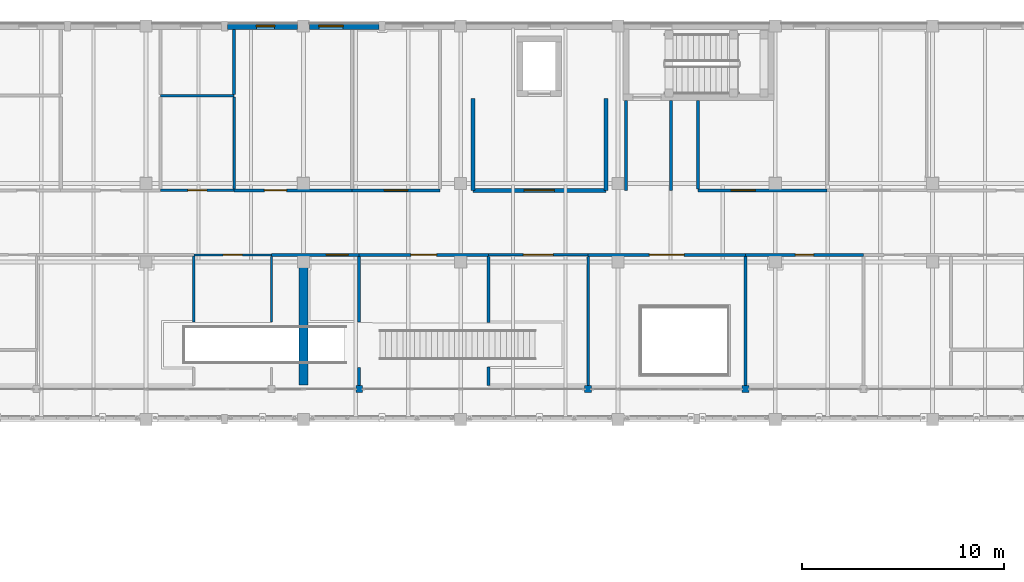
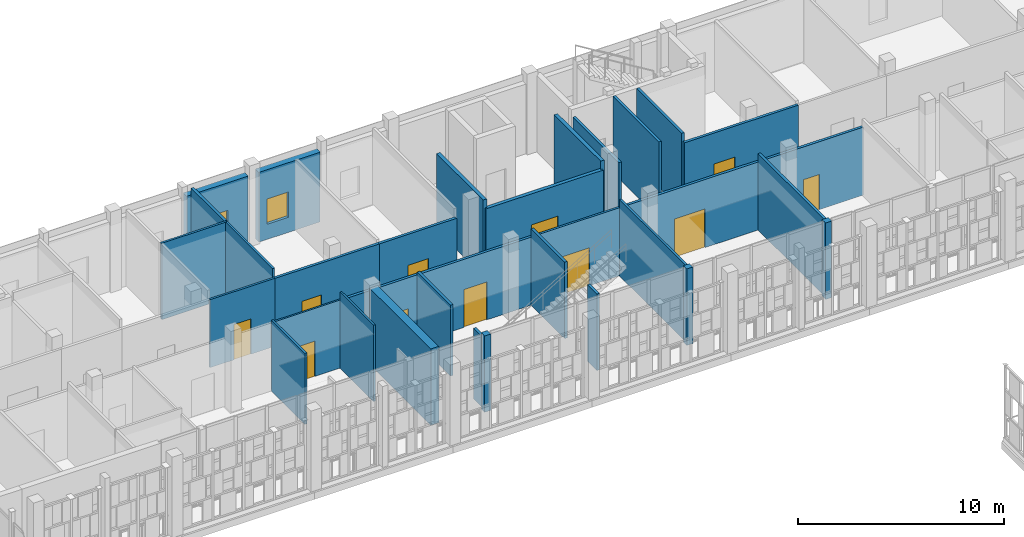
# One storey, part 110 of 138: 33 walls, 11 doors, 2 windows, 13 openings.
"""IFC4 building model written with IfcOpenShell, lengths in metres."""

from ifc_helpers import new_model, si_unit, direction, frame, frame_2d, origin, place, context, subcontext, project, spatial, rectangle, extrude, material, layer, layer_set, type_object, element, fill, save


model = new_model("IFC4")

# Units and contexts
model_context = context("Model", 3, precision=1e-05, world=origin(), true_north=direction((0.0, 1.0)))
body_context = subcontext(model_context, "Body", "Model", "MODEL_VIEW")
ifc_project = project(units=[si_unit("LENGTHUNIT", "METRE"), si_unit("AREAUNIT", "SQUARE_METRE"), si_unit("VOLUMEUNIT", "CUBIC_METRE"), si_unit("PLANEANGLEUNIT", "RADIAN"), si_unit("MASSUNIT", "GRAM", prefix="KILO")], contexts=[model_context])

# Site, building, storey
site_placement = place(None, origin())
site = spatial("IfcSite", under=ifc_project, at=site_placement, CompositionType="ELEMENT")
building_placement = place(site_placement, origin())
building = spatial("IfcBuilding", under=site, at=building_placement, Name="Celorna Specialist Clinic", CompositionType="ELEMENT")
storey_placement = place(building_placement, frame((0.0, 0.0, 4.800048828125)))
storey = spatial("IfcBuildingStorey", under=building, at=storey_placement, Name="L01", CompositionType="ELEMENT", Elevation=4.800048828125)

# Walls
ifc_material_1 = material(Name="Concrete C40/50", Category="concrete")
ifc_layer_1 = layer(ifc_material_1, 0.449951171875, Name="Concrete C40/50")
ifc_layer_set_1 = layer_set([ifc_layer_1], Name="Concrete C40/50")
wall_type_1 = type_object("IfcWallType", Name="WT-04", PredefinedType="SHEAR", material=ifc_layer_set_1)
wall_1_placement = place(storey_placement, frame((101.39990234375, 98.18994140625, 0.0), z_axis=(0.0, 0.0, 1.0), x_axis=(0.0, 1.0, 0.0)))
element("IfcWall", 1, at=wall_1_placement, inside=storey, type_object=wall_type_1, Name="Structural RC shear wall WT-04 V4 L01", PredefinedType="SHEAR", context=body_context, shape_type="SweptSolid", body=[
    extrude(rectangle(XDim=5.9599609375, YDim=0.449951171875, at=frame_2d((2.97998046875, 0.0))), origin(), (0.0, 0.0, 1.0), 4.5400390625),
])
ifc_material_2 = material(Name="Pero Pinheiro Lioz limestone insulated masonry", Category="masonry")
ifc_layer_2 = layer(ifc_material_2, 0.340087890625, Name="Pero Pinheiro Lioz limestone insulated masonry")
ifc_layer_set_2 = layer_set([ifc_layer_2], Name="Pero Pinheiro Lioz limestone insulated masonry")
wall_type_2 = type_object("IfcWallType", Name="WT-07", PredefinedType="STANDARD", material=ifc_layer_set_2)
wall_2_placement = place(storey_placement, frame((104.340087890625, 98.0, 0.0), z_axis=(0.0, 0.0, 1.0), x_axis=(-1.0, 0.0, 0.0)))
element("IfcWall", 2, at=wall_2_placement, inside=storey, type_object=wall_type_2, Name="External facade wall WT-07 #193", PredefinedType="STANDARD", context=body_context, shape_type="SweptSolid", body=[
    extrude(rectangle(XDim=0.340087890625, YDim=0.340087890625, at=frame_2d((0.169921875, 0.0))), origin(), (0.0, 0.0, 1.0), 4.5400390625),
])
wall_3_placement = place(storey_placement, frame((115.68994140625, 98.0, 0.0), z_axis=(0.0, 0.0, 1.0), x_axis=(-1.0, 0.0, 0.0)))
element("IfcWall", 3, at=wall_3_placement, inside=storey, type_object=wall_type_2, Name="External facade wall WT-07 #194", PredefinedType="STANDARD", context=body_context, shape_type="SweptSolid", body=[
    extrude(rectangle(XDim=0.33984375, YDim=0.340087890625, at=frame_2d((0.169921875, 0.0))), origin(), (0.0, 0.0, 1.0), 4.5400390625),
])
wall_4_placement = place(storey_placement, frame((123.489990234375, 98.0, 0.0), z_axis=(0.0, 0.0, 1.0), x_axis=(-1.0, 0.0, 0.0)))
element("IfcWall", 4, at=wall_4_placement, inside=storey, type_object=wall_type_2, Name="External facade wall WT-07 #195", PredefinedType="STANDARD", context=body_context, shape_type="SweptSolid", body=[
    extrude(rectangle(XDim=0.340087890625, YDim=0.340087890625, at=frame_2d((0.169921875, 0.0))), origin(), (0.0, 0.0, 1.0), 4.5400390625),
])

# Wall, opening, window
wall_5_placement = place(storey_placement, frame((97.64990234375, 116.0, 0.0), z_axis=(0.0, 0.0, 1.0), x_axis=(1.0, 0.0, 0.0)))
wall_5 = element("IfcWall", 5, at=wall_5_placement, inside=storey, type_object=wall_type_2, Name="External facade wall WT-07 #213", PredefinedType="STANDARD", context=body_context, shape_type="SweptSolid", body=[
    extrude(rectangle(XDim=3.4501953125, YDim=0.340087890625, at=frame_2d((1.72509765625, 0.0))), origin(), (0.0, 0.0, 1.0), 4.139892578125),
])
opening_1_placement = place(wall_5_placement, frame((1.425048828125, 0.0, 0.89990234375)))
opening_1 = element("IfcOpeningElement", 6, at=opening_1_placement, cuts=wall_5, Name="Opening WN-01", PredefinedType="OPENING", context=body_context, shape_type="SweptSolid", body=[
    extrude(rectangle(XDim=0.89990234375, YDim=1.60009765625, at=frame_2d((0.449951171875, 0.800048828125))), frame((0.0, 0.179931640625, 0.0), z_axis=(0.0, -1.0, 0.0), x_axis=(1.0, 0.0, 0.0)), (0.0, 0.0, 1.0), 0.360107421875),
])
ifc_material_3 = material(Name="Thermally broken aluminium triple-glazed window", Category="aluminium")
window_type_1 = type_object("IfcWindowType", Name="WN-01", PartitioningType="SINGLE_PANEL", PredefinedType="WINDOW", material=ifc_material_3)
window_1_placement = place(opening_1_placement, origin())
window_1 = element("IfcWindow", 7, at=window_1_placement, inside=storey, type_object=window_type_1, Name="Facade window WN-01 #93", OverallHeight=1.60009765625, OverallWidth=0.89990234375, PartitioningType="SINGLE_PANEL", PredefinedType="WINDOW", context=body_context, shape_type="SweptSolid", body=[
    extrude(rectangle(XDim=0.89990234375, YDim=1.60009765625, at=frame_2d((0.449951171875, 0.800048828125))), frame((0.0, 0.030029296875, 0.0), z_axis=(0.0, -1.0, 0.0), x_axis=(1.0, 0.0, 0.0)), (0.0, 0.0, 1.0), 0.06005859375),
])
fill(opening_1, window_1)

wall_6_placement = place(storey_placement, frame((101.699951171875, 116.0, 0.0), z_axis=(0.0, 0.0, 1.0), x_axis=(1.0, 0.0, 0.0)))
wall_6 = element("IfcWall", 8, at=wall_6_placement, inside=storey, type_object=wall_type_2, Name="External facade wall WT-07 #214", PredefinedType="STANDARD", context=body_context, shape_type="SweptSolid", body=[
    extrude(rectangle(XDim=3.449951171875, YDim=0.340087890625, at=frame_2d((1.72509765625, 0.0))), origin(), (0.0, 0.0, 1.0), 4.139892578125),
])
opening_2_placement = place(wall_6_placement, frame((0.469970703125, 0.0, 0.89990234375)))
opening_2 = element("IfcOpeningElement", 9, at=opening_2_placement, cuts=wall_6, Name="Opening WN-04", PredefinedType="OPENING", context=body_context, shape_type="SweptSolid", body=[
    extrude(rectangle(XDim=1.199951171875, YDim=1.5, at=frame_2d((0.60009765625, 0.75))), frame((0.0, 0.179931640625, 0.0), z_axis=(0.0, -1.0, 0.0), x_axis=(1.0, 0.0, 0.0)), (0.0, 0.0, 1.0), 0.360107421875),
])
window_type_2 = type_object("IfcWindowType", Name="WN-04", PartitioningType="SINGLE_PANEL", PredefinedType="WINDOW", material=ifc_material_3)
window_2_placement = place(opening_2_placement, origin())
window_2 = element("IfcWindow", 10, at=window_2_placement, inside=storey, type_object=window_type_2, Name="Facade window WN-04 #94", OverallHeight=1.5, OverallWidth=1.199951171875, PartitioningType="SINGLE_PANEL", PredefinedType="WINDOW", context=body_context, shape_type="SweptSolid", body=[
    extrude(rectangle(XDim=1.199951171875, YDim=1.5, at=frame_2d((0.60009765625, 0.75))), frame((0.0, 0.030029296875, 0.0), z_axis=(0.0, -1.0, 0.0), x_axis=(1.0, 0.0, 0.0)), (0.0, 0.0, 1.0), 0.06005859375),
])
fill(opening_2, window_2)

# Wall, opening, door
ifc_material_4 = material(Name="Concrete C35/45", Category="concrete")
ifc_layer_3 = layer(ifc_material_4, 0.199951171875, Name="Concrete C35/45")
ifc_layer_set_3 = layer_set([ifc_layer_3], Name="Concrete C35/45")
wall_type_3 = type_object("IfcWallType", Name="WT-12", PredefinedType="SOLIDWALL", material=ifc_layer_set_3)
wall_7_placement = place(storey_placement, frame((109.800048828125, 107.85009765625, 0.0), z_axis=(0.0, 0.0, 1.0), x_axis=(1.0, 0.0, 0.0)))
wall_7 = element("IfcWall", 11, at=wall_7_placement, inside=storey, type_object=wall_type_3, Name="Lift lobby wall LF-03 L01", PredefinedType="SOLIDWALL", context=body_context, shape_type="SweptSolid", body=[
    extrude(rectangle(XDim=6.599853515625, YDim=0.199951171875, at=frame_2d((3.2998046875, 0.0))), origin(), (0.0, 0.0, 1.0), 4.0400390625),
])
opening_3_placement = place(wall_7_placement, frame((2.550048828125, 0.0, 0.0)))
opening_3 = element("IfcOpeningElement", 12, at=opening_3_placement, cuts=wall_7, Name="Opening DR-11", PredefinedType="OPENING", context=body_context, shape_type="SweptSolid", body=[
    extrude(rectangle(XDim=1.5, YDim=2.199951171875, at=frame_2d((0.75, 1.10009765625))), frame((0.0, 0.10986328125, 0.0), z_axis=(0.0, -1.0, 0.0), x_axis=(1.0, 0.0, 0.0)), (0.0, 0.0, 1.0), 0.219970703125),
])
ifc_material_5 = material(Name="Firefighting lobby double fire door")
door_type_1 = type_object("IfcDoorType", Name="DR-11", OperationType="DOUBLE_DOOR_SINGLE_SWING", PredefinedType="DOOR", material=ifc_material_5)
door_1_placement = place(opening_3_placement, origin())
door_1 = element("IfcDoor", 13, at=door_1_placement, inside=storey, type_object=door_type_1, Name="Lift lobby fire door LF-03 L01", OperationType="DOUBLE_DOOR_SINGLE_SWING", OverallHeight=2.199951171875, OverallWidth=1.5, PredefinedType="DOOR", context=body_context, shape_type="SweptSolid", body=[
    extrude(rectangle(XDim=1.5, YDim=2.199951171875, at=frame_2d((0.75, 1.10009765625))), frame((0.0, 0.02490234375, 0.0), z_axis=(0.0, -1.0, 0.0), x_axis=(1.0, 0.0, 0.0)), (0.0, 0.0, 1.0), 0.050048828125),
])
fill(opening_3, door_1)

# Walls
for number, where, z_axis, x_axis, name in (
    (14, (109.800048828125, 112.39990234375, 0.0), (0.0, 0.0, 1.0), (0.0, -1.0, 0.0), "Lift lobby wall LF-03 L01"),
    (15, (116.39990234375, 107.85009765625, 0.0), (0.0, 0.0, 1.0), (0.0, 1.0, 0.0), "Lift lobby wall LF-03 L01"),
):
    element("IfcWall", number, at=place(storey_placement, frame(where, z_axis=z_axis, x_axis=x_axis)), inside=storey, type_object=wall_type_3, Name=name, PredefinedType="SOLIDWALL", context=body_context, shape_type="SweptSolid", body=[
        extrude(rectangle(XDim=4.5498046875, YDim=0.199951171875, at=frame_2d((2.27490234375, 0.0))), origin(), (0.0, 0.0, 1.0), 4.5400390625),
    ])
ifc_material_6 = material(Name="Fire-rated gypsum board partition")
ifc_layer_4 = layer(ifc_material_6, 0.14990234375, Name="Fire-rated gypsum board partition")
ifc_layer_set_4 = layer_set([ifc_layer_4], Name="Fire-rated gypsum board partition")
wall_type_4 = type_object("IfcWallType", Name="WT-14", PredefinedType="PARTITIONING", material=ifc_layer_set_4)
wall_8_placement = place(storey_placement, frame((117.389892578125, 107.85009765625, 0.0), z_axis=(0.0, 0.0, 1.0), x_axis=(0.0, 1.0, 0.0)))
element("IfcWall", 16, at=wall_8_placement, inside=storey, type_object=wall_type_4, Name="Corridor spur partition WT-14", PredefinedType="PARTITIONING", context=body_context, shape_type="SweptSolid", body=[
    extrude(rectangle(XDim=4.469970703125, YDim=0.14990234375, at=frame_2d((2.23486328125, 0.0))), origin(), (0.0, 0.0, 1.0), 4.08984375),
])
wall_9_placement = place(storey_placement, frame((119.639892578125, 107.85009765625, 0.0), z_axis=(0.0, 0.0, 1.0), x_axis=(0.0, 1.0, 0.0)))
element("IfcWall", 17, at=wall_9_placement, inside=storey, type_object=wall_type_4, Name="Corridor spur partition WT-14", PredefinedType="PARTITIONING", context=body_context, shape_type="SweptSolid", body=[
    extrude(rectangle(XDim=4.469970703125, YDim=0.14990234375, at=frame_2d((2.23486328125, 0.0))), origin(), (0.0, 0.0, 1.0), 4.5400390625),
])

# Wall, opening, door
wall_10_placement = place(storey_placement, frame((104.169921875, 104.64990234375, 0.0), z_axis=(0.0, 0.0, 1.0), x_axis=(-1.0, 0.0, 0.0)))
wall_10 = element("IfcWall", 18, at=wall_10_placement, inside=storey, type_object=wall_type_4, Name="Interior partition WT-14 L01-062", PredefinedType="PARTITIONING", context=body_context, shape_type="SweptSolid", body=[
    extrude(rectangle(XDim=4.349853515625, YDim=0.14990234375, at=frame_2d((2.1748046875, 0.0))), origin(), (0.0, 0.0, 1.0), 4.0400390625),
])
opening_4_placement = place(wall_10_placement, frame((0.547607421875, 0.0, 0.0)))
opening_4 = element("IfcOpeningElement", 19, at=opening_4_placement, cuts=wall_10, Name="Opening DR-21", PredefinedType="OPENING", context=body_context, shape_type="SweptSolid", body=[
    extrude(rectangle(XDim=1.080078125, YDim=2.199951171875, at=frame_2d((0.5400390625, 1.10009765625))), frame((0.0, 0.0849609375, 0.0), z_axis=(0.0, -1.0, 0.0), x_axis=(1.0, 0.0, 0.0)), (0.0, 0.0, 1.0), 0.169921875),
])
ifc_material_7 = material(Name="Timber outpatient suite door", Category="wood")
door_type_2 = type_object("IfcDoorType", Name="DR-21", OperationType="NOTDEFINED", PredefinedType="DOOR", material=ifc_material_7)
door_2_placement = place(opening_4_placement, origin())
door_2 = element("IfcDoor", 20, at=door_2_placement, inside=storey, type_object=door_type_2, Name="Outpatient Clinic door L01-062", OperationType="SINGLE_SWING_RIGHT", OverallHeight=2.199951171875, OverallWidth=1.080078125, PredefinedType="DOOR", context=body_context, shape_type="SweptSolid", body=[
    extrude(rectangle(XDim=1.080078125, YDim=2.199951171875, at=frame_2d((0.5400390625, 1.10009765625))), frame((0.0, 0.02490234375, 0.0), z_axis=(0.0, -1.0, 0.0), x_axis=(1.0, 0.0, 0.0)), (0.0, 0.0, 1.0), 0.050048828125),
])
fill(opening_4, door_2)

wall_11_placement = place(storey_placement, frame((110.570068359375, 104.64990234375, 0.0), z_axis=(0.0, 0.0, 1.0), x_axis=(-1.0, 0.0, 0.0)))
wall_11 = element("IfcWall", 21, at=wall_11_placement, inside=storey, type_object=wall_type_4, Name="Interior partition WT-14 L01-063", PredefinedType="PARTITIONING", context=body_context, shape_type="SweptSolid", body=[
    extrude(rectangle(XDim=6.400146484375, YDim=0.14990234375, at=frame_2d((3.2001953125, 0.0))), origin(), (0.0, 0.0, 1.0), 4.0400390625),
])
opening_5_placement = place(wall_11_placement, frame((2.56005859375, 0.0, 0.0)))
opening_5 = element("IfcOpeningElement", 22, at=opening_5_placement, cuts=wall_11, Name="Opening DR-22", PredefinedType="OPENING", context=body_context, shape_type="SweptSolid", body=[
    extrude(rectangle(XDim=1.280029296875, YDim=2.25, at=frame_2d((0.64013671875, 1.125))), frame((0.0, 0.0849609375, 0.0), z_axis=(0.0, -1.0, 0.0), x_axis=(1.0, 0.0, 0.0)), (0.0, 0.0, 1.0), 0.169921875),
])
ifc_material_8 = material(Name="Diagnostic procedure room door")
door_type_3 = type_object("IfcDoorType", Name="DR-22", OperationType="NOTDEFINED", PredefinedType="DOOR", material=ifc_material_8)
door_3_placement = place(opening_5_placement, origin())
door_3 = element("IfcDoor", 23, at=door_3_placement, inside=storey, type_object=door_type_3, Name="Consulting Room door L01-063", OperationType="SINGLE_SWING_LEFT", OverallHeight=2.25, OverallWidth=1.280029296875, PredefinedType="DOOR", context=body_context, shape_type="SweptSolid", body=[
    extrude(rectangle(XDim=1.280029296875, YDim=2.25, at=frame_2d((0.64013671875, 1.125))), frame((0.0, 0.02490234375, 0.0), z_axis=(0.0, -1.0, 0.0), x_axis=(1.0, 0.0, 0.0)), (0.0, 0.0, 1.0), 0.050048828125),
])
fill(opening_5, door_3)

wall_12_placement = place(storey_placement, frame((123.320068359375, 104.64990234375, 0.0), z_axis=(0.0, 0.0, 1.0), x_axis=(-1.0, 0.0, 0.0)))
wall_12 = element("IfcWall", 24, at=wall_12_placement, inside=storey, type_object=wall_type_4, Name="Interior partition WT-14 L01-065", PredefinedType="PARTITIONING", context=body_context, shape_type="SweptSolid", body=[
    extrude(rectangle(XDim=7.800048828125, YDim=0.14990234375, at=frame_2d((3.89990234375, 0.0))), origin(), (0.0, 0.0, 1.0), 4.0400390625),
])
opening_6_placement = place(wall_12_placement, frame((3.0400390625, 0.0, 0.0)))
opening_6 = element("IfcOpeningElement", 25, at=opening_6_placement, cuts=wall_12, Name="Opening DR-24", PredefinedType="OPENING", context=body_context, shape_type="SweptSolid", body=[
    extrude(rectangle(XDim=1.719970703125, YDim=2.300048828125, at=frame_2d((0.85986328125, 1.14990234375))), frame((0.0, 0.0849609375, 0.0), z_axis=(0.0, -1.0, 0.0), x_axis=(1.0, 0.0, 0.0)), (0.0, 0.0, 1.0), 0.169921875),
])
ifc_material_9 = material(Name="Double leaf clinical waiting door")
door_type_4 = type_object("IfcDoorType", Name="DR-24", OperationType="DOUBLE_DOOR_SINGLE_SWING", PredefinedType="DOOR", material=ifc_material_9)
door_4_placement = place(opening_6_placement, origin())
door_4 = element("IfcDoor", 26, at=door_4_placement, inside=storey, type_object=door_type_4, Name="Pulmonary Function Testing Suite door L01-065", OperationType="DOUBLE_DOOR_SINGLE_SWING", OverallHeight=2.300048828125, OverallWidth=1.719970703125, PredefinedType="DOOR", context=body_context, shape_type="SweptSolid", body=[
    extrude(rectangle(XDim=1.719970703125, YDim=2.300048828125, at=frame_2d((0.85986328125, 1.14990234375))), frame((0.0, 0.02490234375, 0.0), z_axis=(0.0, -1.0, 0.0), x_axis=(1.0, 0.0, 0.0)), (0.0, 0.0, 1.0), 0.050048828125),
])
fill(opening_6, door_4)

wall_13_placement = place(storey_placement, frame((129.169921875, 104.64990234375, 0.0), z_axis=(0.0, 0.0, 1.0), x_axis=(-1.0, 0.0, 0.0)))
wall_13 = element("IfcWall", 27, at=wall_13_placement, inside=storey, type_object=wall_type_4, Name="Interior partition WT-14 L01-066", PredefinedType="PARTITIONING", context=body_context, shape_type="SweptSolid", body=[
    extrude(rectangle(XDim=5.849853515625, YDim=0.14990234375, at=frame_2d((2.9248046875, 0.0))), origin(), (0.0, 0.0, 1.0), 4.0400390625),
])
opening_7_placement = place(wall_13_placement, frame((2.47509765625, 0.0, 0.0)))
opening_7 = element("IfcOpeningElement", 28, at=opening_7_placement, cuts=wall_13, Name="Opening DR-02", PredefinedType="OPENING", context=body_context, shape_type="SweptSolid", body=[
    extrude(rectangle(XDim=0.89990234375, YDim=2.10009765625, at=frame_2d((0.449951171875, 1.050048828125))), frame((0.0, 0.0849609375, 0.0), z_axis=(0.0, -1.0, 0.0), x_axis=(1.0, 0.0, 0.0)), (0.0, 0.0, 1.0), 0.169921875),
])
ifc_material_10 = material(Name="Timber acoustic clinical door", Category="wood")
door_type_5 = type_object("IfcDoorType", Name="DR-02", OperationType="NOTDEFINED", PredefinedType="DOOR", material=ifc_material_10)
door_5_placement = place(opening_7_placement, origin())
door_5 = element("IfcDoor", 29, at=door_5_placement, inside=storey, type_object=door_type_5, Name="Allergy and Immunology Clinic door L01-066", OperationType="SINGLE_SWING_RIGHT", OverallHeight=2.10009765625, OverallWidth=0.89990234375, PredefinedType="DOOR", context=body_context, shape_type="SweptSolid", body=[
    extrude(rectangle(XDim=0.89990234375, YDim=2.10009765625, at=frame_2d((0.449951171875, 1.050048828125))), frame((0.0, 0.02490234375, 0.0), z_axis=(0.0, -1.0, 0.0), x_axis=(1.0, 0.0, 0.0)), (0.0, 0.0, 1.0), 0.050048828125),
])
fill(opening_7, door_5)

wall_14_placement = place(storey_placement, frame((97.969970703125, 107.85009765625, 0.0), z_axis=(0.0, 0.0, 1.0), x_axis=(1.0, 0.0, 0.0)))
wall_14 = element("IfcWall", 30, at=wall_14_placement, inside=storey, type_object=wall_type_4, Name="Interior partition WT-14 L01-081", PredefinedType="PARTITIONING", context=body_context, shape_type="SweptSolid", body=[
    extrude(rectangle(XDim=5.85009765625, YDim=0.14990234375, at=frame_2d((2.925048828125, 0.0))), origin(), (0.0, 0.0, 1.0), 4.0400390625),
])
opening_8_placement = place(wall_14_placement, frame((1.49755859375, 0.0, 0.0)))
opening_8 = element("IfcOpeningElement", 31, at=opening_8_placement, cuts=wall_14, Name="Opening DR-06", PredefinedType="OPENING", context=body_context, shape_type="SweptSolid", body=[
    extrude(rectangle(XDim=1.10009765625, YDim=2.14990234375, at=frame_2d((0.550048828125, 1.074951171875))), frame((0.0, 0.0849609375, 0.0), z_axis=(0.0, -1.0, 0.0), x_axis=(1.0, 0.0, 0.0)), (0.0, 0.0, 1.0), 0.169921875),
])
ifc_material_11 = material(Name="Clinical treatment suite door")
door_type_6 = type_object("IfcDoorType", Name="DR-06", OperationType="NOTDEFINED", PredefinedType="DOOR", material=ifc_material_11)
door_6_placement = place(opening_8_placement, origin())
door_6 = element("IfcDoor", 32, at=door_6_placement, inside=storey, type_object=door_type_6, Name="Outpatient Diagnostic Clinic door L01-081", OperationType="SINGLE_SWING_LEFT", OverallHeight=2.14990234375, OverallWidth=1.10009765625, PredefinedType="DOOR", context=body_context, shape_type="SweptSolid", body=[
    extrude(rectangle(XDim=1.10009765625, YDim=2.14990234375, at=frame_2d((0.550048828125, 1.074951171875))), frame((0.0, 0.02490234375, 0.0), z_axis=(0.0, -1.0, 0.0), x_axis=(1.0, 0.0, 0.0)), (0.0, 0.0, 1.0), 0.050048828125),
])
fill(opening_8, door_6)

wall_15_placement = place(storey_placement, frame((103.820068359375, 107.85009765625, 0.0), z_axis=(0.0, 0.0, 1.0), x_axis=(1.0, 0.0, 0.0)))
wall_15 = element("IfcWall", 33, at=wall_15_placement, inside=storey, type_object=wall_type_4, Name="Interior partition WT-14 L01-082", PredefinedType="PARTITIONING", context=body_context, shape_type="SweptSolid", body=[
    extrude(rectangle(XDim=4.349853515625, YDim=0.14990234375, at=frame_2d((2.1748046875, 0.0))), origin(), (0.0, 0.0, 1.0), 4.0400390625),
])
opening_9_placement = place(wall_15_placement, frame((1.60009765625, 0.0, 0.0)))
opening_9 = element("IfcOpeningElement", 34, at=opening_9_placement, cuts=wall_15, Name="Opening DR-07", PredefinedType="OPENING", context=body_context, shape_type="SweptSolid", body=[
    extrude(rectangle(XDim=1.14990234375, YDim=2.199951171875, at=frame_2d((0.574951171875, 1.10009765625))), frame((0.0, 0.0849609375, 0.0), z_axis=(0.0, -1.0, 0.0), x_axis=(1.0, 0.0, 0.0)), (0.0, 0.0, 1.0), 0.169921875),
])
ifc_material_12 = material(Name="Hermetic cleanroom airlock door")
door_type_7 = type_object("IfcDoorType", Name="DR-07", OperationType="NOTDEFINED", PredefinedType="DOOR", material=ifc_material_12)
door_7_placement = place(opening_9_placement, origin())
door_7 = element("IfcDoor", 35, at=door_7_placement, inside=storey, type_object=door_type_7, Name="Outpatient Clinic door L01-082", OperationType="SINGLE_SWING_RIGHT", OverallHeight=2.199951171875, OverallWidth=1.14990234375, PredefinedType="DOOR", context=body_context, shape_type="SweptSolid", body=[
    extrude(rectangle(XDim=1.14990234375, YDim=2.199951171875, at=frame_2d((0.574951171875, 1.10009765625))), frame((0.0, 0.02490234375, 0.0), z_axis=(0.0, -1.0, 0.0), x_axis=(1.0, 0.0, 0.0)), (0.0, 0.0, 1.0), 0.050048828125),
])
fill(opening_9, door_7)

wall_16_placement = place(storey_placement, frame((120.969970703125, 107.85009765625, 0.0), z_axis=(0.0, 0.0, 1.0), x_axis=(1.0, 0.0, 0.0)))
wall_16 = element("IfcWall", 36, at=wall_16_placement, inside=storey, type_object=wall_type_4, Name="Interior partition WT-14 L01-083", PredefinedType="PARTITIONING", context=body_context, shape_type="SweptSolid", body=[
    extrude(rectangle(XDim=6.400146484375, YDim=0.14990234375, at=frame_2d((3.2001953125, 0.0))), origin(), (0.0, 0.0, 1.0), 4.0400390625),
])
opening_10_placement = place(wall_16_placement, frame((1.639892578125, 0.0, 0.0)))
opening_10 = element("IfcOpeningElement", 37, at=opening_10_placement, cuts=wall_16, Name="Opening DR-08", PredefinedType="OPENING", context=body_context, shape_type="SweptSolid", body=[
    extrude(rectangle(XDim=1.199951171875, YDim=2.199951171875, at=frame_2d((0.60009765625, 1.10009765625))), frame((0.0, 0.0849609375, 0.0), z_axis=(0.0, -1.0, 0.0), x_axis=(1.0, 0.0, 0.0)), (0.0, 0.0, 1.0), 0.169921875),
])
ifc_material_13 = material(Name="Stretcher-width clinical door")
door_type_8 = type_object("IfcDoorType", Name="DR-08", OperationType="NOTDEFINED", PredefinedType="DOOR", material=ifc_material_13)
door_8_placement = place(opening_10_placement, origin())
door_8 = element("IfcDoor", 38, at=door_8_placement, inside=storey, type_object=door_type_8, Name="Consulting Room door L01-083", OperationType="SINGLE_SWING_LEFT", OverallHeight=2.199951171875, OverallWidth=1.199951171875, PredefinedType="DOOR", context=body_context, shape_type="SweptSolid", body=[
    extrude(rectangle(XDim=1.199951171875, YDim=2.199951171875, at=frame_2d((0.60009765625, 1.10009765625))), frame((0.0, 0.02490234375, 0.0), z_axis=(0.0, -1.0, 0.0), x_axis=(1.0, 0.0, 0.0)), (0.0, 0.0, 1.0), 0.050048828125),
])
fill(opening_10, door_8)

# Walls
wall_17_placement = place(storey_placement, frame((104.169921875, 98.169921875, 0.0), z_axis=(0.0, 0.0, 1.0), x_axis=(0.0, 1.0, 0.0)))
element("IfcWall", 39, at=wall_17_placement, inside=storey, type_object=wall_type_4, Name="Room dividing partition WT-14 L01-062", PredefinedType="PARTITIONING", context=body_context, shape_type="SweptSolid", body=[
    extrude(rectangle(XDim=0.905029296875, YDim=0.14990234375, at=frame_2d((0.45263671875, 0.0))), origin(), (0.0, 0.0, 1.0), 4.2099609375),
])
wall_18_placement = place(storey_placement, frame((104.169921875, 101.324951171875, 0.0), z_axis=(0.0, 0.0, 1.0), x_axis=(0.0, 1.0, 0.0)))
element("IfcWall", 40, at=wall_18_placement, inside=storey, type_object=wall_type_4, Name="Room dividing partition WT-14 L01-062", PredefinedType="PARTITIONING", context=body_context, shape_type="SweptSolid", body=[
    extrude(rectangle(XDim=3.25, YDim=0.14990234375, at=frame_2d((1.625, 0.0))), origin(), (0.0, 0.0, 1.0), 4.2099609375),
])
wall_19_placement = place(storey_placement, frame((110.570068359375, 98.169921875, 0.0), z_axis=(0.0, 0.0, 1.0), x_axis=(0.0, 1.0, 0.0)))
element("IfcWall", 41, at=wall_19_placement, inside=storey, type_object=wall_type_4, Name="Room dividing partition WT-14 L01-063", PredefinedType="PARTITIONING", context=body_context, shape_type="SweptSolid", body=[
    extrude(rectangle(XDim=0.93017578125, YDim=0.14990234375, at=frame_2d((0.465087890625, 0.0))), origin(), (0.0, 0.0, 1.0), 4.5400390625),
])
wall_20_placement = place(storey_placement, frame((110.570068359375, 101.300048828125, 0.0), z_axis=(0.0, 0.0, 1.0), x_axis=(0.0, 1.0, 0.0)))
element("IfcWall", 42, at=wall_20_placement, inside=storey, type_object=wall_type_4, Name="Room dividing partition WT-14 L01-063", PredefinedType="PARTITIONING", context=body_context, shape_type="SweptSolid", body=[
    extrude(rectangle(XDim=3.27490234375, YDim=0.14990234375, at=frame_2d((1.637451171875, 0.0))), origin(), (0.0, 0.0, 1.0), 4.5400390625),
])
wall_21_placement = place(storey_placement, frame((123.320068359375, 98.169921875, 0.0), z_axis=(0.0, 0.0, 1.0), x_axis=(0.0, 1.0, 0.0)))
element("IfcWall", 43, at=wall_21_placement, inside=storey, type_object=wall_type_4, Name="Room dividing partition WT-14 L01-065", PredefinedType="PARTITIONING", context=body_context, shape_type="SweptSolid", body=[
    extrude(rectangle(XDim=6.405029296875, YDim=0.14990234375, at=frame_2d((3.20263671875, 0.0))), origin(), (0.0, 0.0, 1.0), 4.5400390625),
])
wall_22_placement = place(storey_placement, frame((97.969970703125, 112.610107421875, 0.0), z_axis=(0.0, 0.0, 1.0), x_axis=(0.0, 1.0, 0.0)))
element("IfcWall", 44, at=wall_22_placement, inside=storey, type_object=wall_type_4, Name="Room dividing partition WT-14 L01-081", PredefinedType="PARTITIONING", context=body_context, shape_type="SweptSolid", body=[
    extrude(rectangle(XDim=3.219970703125, YDim=0.14990234375, at=frame_2d((1.60986328125, 0.0))), origin(), (0.0, 0.0, 1.0), 4.5400390625),
])
wall_23_placement = place(storey_placement, frame((120.969970703125, 107.925048828125, 0.0), z_axis=(0.0, 0.0, 1.0), x_axis=(0.0, 1.0, 0.0)))
element("IfcWall", 45, at=wall_23_placement, inside=storey, type_object=wall_type_4, Name="Room dividing partition WT-14 L01-083", PredefinedType="PARTITIONING", context=body_context, shape_type="SweptSolid", body=[
    extrude(rectangle(XDim=4.39501953125, YDim=0.14990234375, at=frame_2d((2.197509765625, 0.0))), origin(), (0.0, 0.0, 1.0), 4.5400390625),
])

# Wall, opening, door
ifc_material_14 = material(Name="Acoustic gypsum board partition")
ifc_layer_5 = layer(ifc_material_14, 0.1201171875, Name="Acoustic gypsum board partition")
ifc_layer_set_5 = layer_set([ifc_layer_5], Name="Acoustic gypsum board partition")
wall_type_5 = type_object("IfcWallType", Name="WT-15", PredefinedType="PARTITIONING", material=ifc_layer_set_5)
wall_24_placement = place(storey_placement, frame((115.52001953125, 104.64990234375, 0.0), z_axis=(0.0, 0.0, 1.0), x_axis=(-1.0, 0.0, 0.0)))
wall_24 = element("IfcWall", 46, at=wall_24_placement, inside=storey, type_object=wall_type_5, Name="Interior partition WT-15 L01-064", PredefinedType="PARTITIONING", context=body_context, shape_type="SweptSolid", body=[
    extrude(rectangle(XDim=4.949951171875, YDim=0.1201171875, at=frame_2d((2.47509765625, 0.0))), origin(), (0.0, 0.0, 1.0), 4.0400390625),
])
opening_11_placement = place(wall_24_placement, frame((1.735107421875, 0.0, 0.0)))
opening_11 = element("IfcOpeningElement", 47, at=opening_11_placement, cuts=wall_24, Name="Opening DR-23", PredefinedType="OPENING", context=body_context, shape_type="SweptSolid", body=[
    extrude(rectangle(XDim=1.47998046875, YDim=2.25, at=frame_2d((0.739990234375, 1.125))), frame((0.0, 0.070068359375, 0.0), z_axis=(0.0, -1.0, 0.0), x_axis=(1.0, 0.0, 0.0)), (0.0, 0.0, 1.0), 0.14013671875),
])
ifc_material_15 = material(Name="Double leaf treatment room door")
door_type_9 = type_object("IfcDoorType", Name="DR-23", OperationType="DOUBLE_DOOR_SINGLE_SWING", PredefinedType="DOOR", material=ifc_material_15)
door_9_placement = place(opening_11_placement, origin())
door_9 = element("IfcDoor", 48, at=door_9_placement, inside=storey, type_object=door_type_9, Name="Audiology and ENT Examination Room door L01-064", OperationType="DOUBLE_DOOR_SINGLE_SWING", OverallHeight=2.25, OverallWidth=1.47998046875, PredefinedType="DOOR", context=body_context, shape_type="SweptSolid", body=[
    extrude(rectangle(XDim=1.47998046875, YDim=2.25, at=frame_2d((0.739990234375, 1.125))), frame((0.0, 0.02490234375, 0.0), z_axis=(0.0, -1.0, 0.0), x_axis=(1.0, 0.0, 0.0)), (0.0, 0.0, 1.0), 0.050048828125),
])
fill(opening_11, door_9)

wall_25_placement = place(storey_placement, frame((94.320068359375, 107.85009765625, 0.0), z_axis=(0.0, 0.0, 1.0), x_axis=(1.0, 0.0, 0.0)))
wall_25 = element("IfcWall", 49, at=wall_25_placement, inside=storey, type_object=wall_type_5, Name="Interior partition WT-15 L01-080", PredefinedType="PARTITIONING", context=body_context, shape_type="SweptSolid", body=[
    extrude(rectangle(XDim=3.64990234375, YDim=0.1201171875, at=frame_2d((1.824951171875, 0.0))), origin(), (0.0, 0.0, 1.0), 4.0400390625),
])
opening_12_placement = place(wall_25_placement, frame((1.35009765625, 0.0, 0.0)))
opening_12 = element("IfcOpeningElement", 50, at=opening_12_placement, cuts=wall_25, Name="Opening DR-03", PredefinedType="OPENING", context=body_context, shape_type="SweptSolid", body=[
    extrude(rectangle(XDim=0.949951171875, YDim=2.10009765625, at=frame_2d((0.47509765625, 1.050048828125))), frame((0.0, 0.070068359375, 0.0), z_axis=(0.0, -1.0, 0.0), x_axis=(1.0, 0.0, 0.0)), (0.0, 0.0, 1.0), 0.14013671875),
])
ifc_material_16 = material(Name="Moisture-resistant accessible WC door")
door_type_10 = type_object("IfcDoorType", Name="DR-03", OperationType="NOTDEFINED", PredefinedType="DOOR", material=ifc_material_16)
door_10_placement = place(opening_12_placement, origin())
door_10 = element("IfcDoor", 51, at=door_10_placement, inside=storey, type_object=door_type_10, Name="Public Male WC door L01-080", OperationType="SINGLE_SWING_RIGHT", OverallHeight=2.10009765625, OverallWidth=0.949951171875, PredefinedType="DOOR", context=body_context, shape_type="SweptSolid", body=[
    extrude(rectangle(XDim=0.949951171875, YDim=2.10009765625, at=frame_2d((0.47509765625, 1.050048828125))), frame((0.0, 0.02490234375, 0.0), z_axis=(0.0, -1.0, 0.0), x_axis=(1.0, 0.0, 0.0)), (0.0, 0.0, 1.0), 0.050048828125),
])
fill(opening_12, door_10)

# Walls
wall_26_placement = place(storey_placement, frame((94.320068359375, 112.550048828125, 0.0), z_axis=(0.0, 0.0, 1.0), x_axis=(1.0, 0.0, 0.0)))
element("IfcWall", 52, at=wall_26_placement, inside=storey, type_object=wall_type_5, Name="Sanitary suite rear partition L01-080", PredefinedType="PARTITIONING", context=body_context, shape_type="SweptSolid", body=[
    extrude(rectangle(XDim=3.64990234375, YDim=0.1201171875, at=frame_2d((1.824951171875, 0.0))), origin(), (0.0, 0.0, 1.0), 4.5400390625),
])
wall_27_placement = place(storey_placement, frame((95.969970703125, 101.324951171875, 0.0), z_axis=(0.0, 0.0, 1.0), x_axis=(0.0, 1.0, 0.0)))
element("IfcWall", 53, at=wall_27_placement, inside=storey, type_object=wall_type_5, Name="Room dividing partition WT-15 L01-060", PredefinedType="PARTITIONING", context=body_context, shape_type="SweptSolid", body=[
    extrude(rectangle(XDim=3.26513671875, YDim=0.1201171875, at=frame_2d((1.632568359375, 0.0))), origin(), (0.0, 0.0, 1.0), 4.2099609375),
])
wall_28_placement = place(storey_placement, frame((115.52001953125, 98.169921875, 0.0), z_axis=(0.0, 0.0, 1.0), x_axis=(0.0, 1.0, 0.0)))
element("IfcWall", 54, at=wall_28_placement, inside=storey, type_object=wall_type_5, Name="Room dividing partition WT-15 L01-064", PredefinedType="PARTITIONING", context=body_context, shape_type="SweptSolid", body=[
    extrude(rectangle(XDim=6.405029296875, YDim=0.1201171875, at=frame_2d((3.20263671875, 0.0))), origin(), (0.0, 0.0, 1.0), 4.5400390625),
])
wall_29_placement = place(storey_placement, frame((97.969970703125, 107.925048828125, 0.0), z_axis=(0.0, 0.0, 1.0), x_axis=(0.0, 1.0, 0.0)))
element("IfcWall", 55, at=wall_29_placement, inside=storey, type_object=wall_type_5, Name="Room dividing partition WT-15 L01-080", PredefinedType="PARTITIONING", context=body_context, shape_type="SweptSolid", body=[
    extrude(rectangle(XDim=4.56494140625, YDim=0.1201171875, at=frame_2d((2.282470703125, 0.0))), origin(), (0.0, 0.0, 1.0), 4.5400390625),
])

# Wall, opening, door
ifc_material_17 = material(Name="Moisture-resistant gypsum partition")
ifc_layer_6 = layer(ifc_material_17, 0.10009765625, Name="Moisture-resistant gypsum partition")
ifc_layer_set_6 = layer_set([ifc_layer_6], Name="Moisture-resistant gypsum partition")
wall_type_6 = type_object("IfcWallType", Name="WT-16", PredefinedType="PARTITIONING", material=ifc_layer_set_6)
wall_30_placement = place(storey_placement, frame((99.820068359375, 104.64990234375, 0.0), z_axis=(0.0, 0.0, 1.0), x_axis=(-1.0, 0.0, 0.0)))
wall_30 = element("IfcWall", 56, at=wall_30_placement, inside=storey, type_object=wall_type_6, Name="Interior partition WT-16 L01-061", PredefinedType="PARTITIONING", context=body_context, shape_type="SweptSolid", body=[
    extrude(rectangle(XDim=3.85009765625, YDim=0.10009765625, at=frame_2d((1.925048828125, 0.0))), origin(), (0.0, 0.0, 1.0), 4.0400390625),
])
opening_13_placement = place(wall_30_placement, frame((1.449951171875, 0.0, 0.0)))
opening_13 = element("IfcOpeningElement", 57, at=opening_13_placement, cuts=wall_30, Name="Opening DR-03", PredefinedType="OPENING", context=body_context, shape_type="SweptSolid", body=[
    extrude(rectangle(XDim=0.949951171875, YDim=2.10009765625, at=frame_2d((0.47509765625, 1.050048828125))), frame((0.0, 0.06005859375, 0.0), z_axis=(0.0, -1.0, 0.0), x_axis=(1.0, 0.0, 0.0)), (0.0, 0.0, 1.0), 0.1201171875),
])
door_11_placement = place(opening_13_placement, origin())
door_11 = element("IfcDoor", 58, at=door_11_placement, inside=storey, type_object=door_type_10, Name="Staff WC door L01-061", OperationType="SINGLE_SWING_LEFT", OverallHeight=2.10009765625, OverallWidth=0.949951171875, PredefinedType="DOOR", context=body_context, shape_type="SweptSolid", body=[
    extrude(rectangle(XDim=0.949951171875, YDim=2.10009765625, at=frame_2d((0.47509765625, 1.050048828125))), frame((0.0, 0.02490234375, 0.0), z_axis=(0.0, -1.0, 0.0), x_axis=(1.0, 0.0, 0.0)), (0.0, 0.0, 1.0), 0.050048828125),
])
fill(opening_13, door_11)

# Wall
wall_31_placement = place(storey_placement, frame((99.820068359375, 101.324951171875, 0.0), z_axis=(0.0, 0.0, 1.0), x_axis=(0.0, 1.0, 0.0)))
element("IfcWall", 59, at=wall_31_placement, inside=storey, type_object=wall_type_6, Name="Room dividing partition WT-16 L01-061", PredefinedType="PARTITIONING", context=body_context, shape_type="SweptSolid", body=[
    extrude(rectangle(XDim=3.25, YDim=0.10009765625, at=frame_2d((1.625, 0.0))), origin(), (0.0, 0.0, 1.0), 4.5400390625),
])

save(model, "model.ifc")
